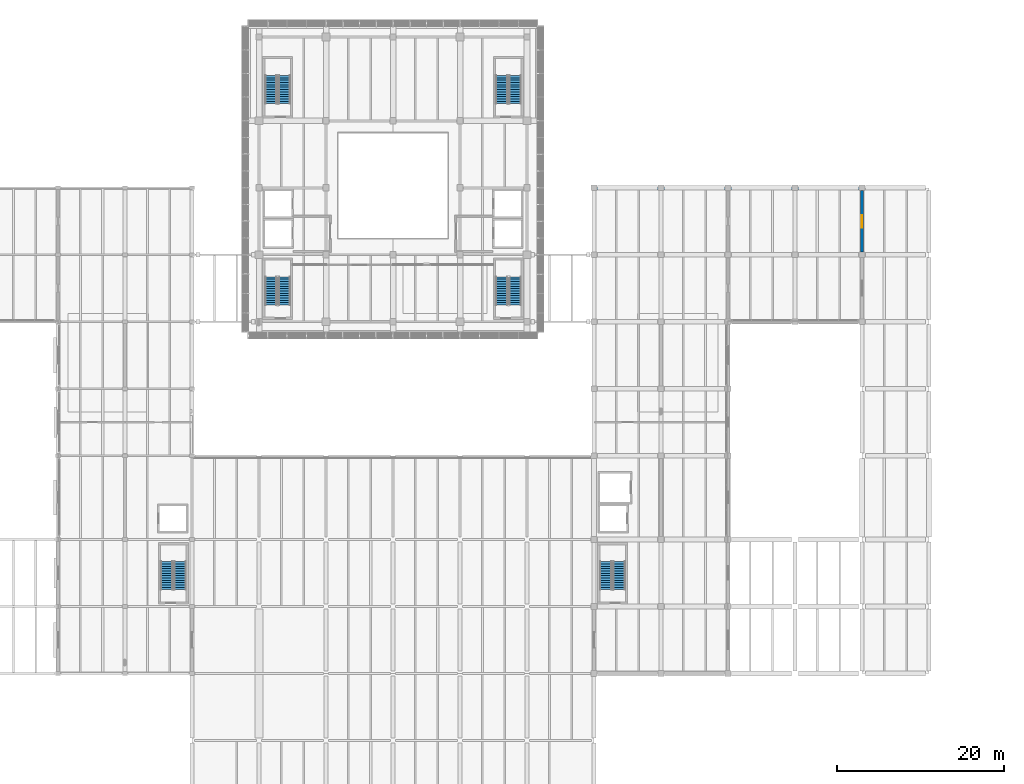
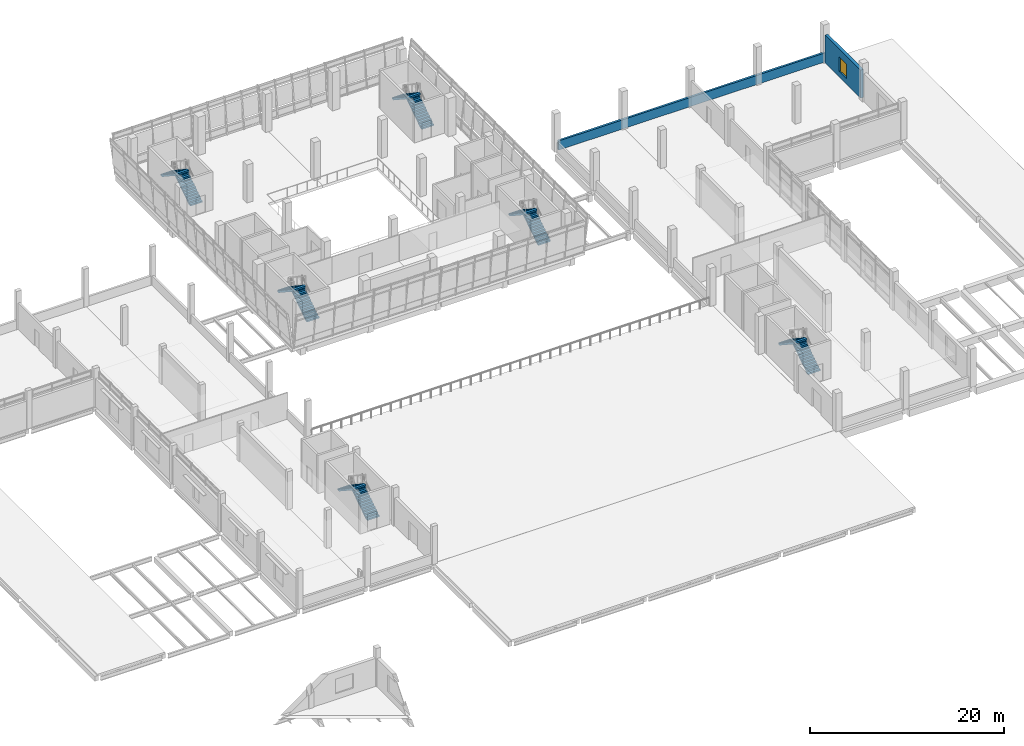
# One storey, part 36 of 52: 12 stair flights, 2 walls, 1 window, 1 opening, 6 elements without a shape of their own.
"""IFC4 building model written with IfcOpenShell, lengths in metres."""

from ifc_helpers import new_model, si_unit, direction, frame, frame_2d, origin, place, context, subcontext, project, spatial, polyline, rectangle, outline, extrude, material, layer, layer_set, type_object, element, fill, aggregate, save


model = new_model("IFC4")

# Units and contexts
model_context = context("Model", 3, precision=1e-05, world=origin(), true_north=direction((0.0, 1.0)))
body_context = subcontext(model_context, "Body", "Model", "MODEL_VIEW")
ifc_project = project(units=[si_unit("LENGTHUNIT", "METRE"), si_unit("AREAUNIT", "SQUARE_METRE"), si_unit("VOLUMEUNIT", "CUBIC_METRE"), si_unit("PLANEANGLEUNIT", "RADIAN"), si_unit("MASSUNIT", "GRAM", prefix="KILO")], contexts=[model_context])

# Site, building, storey
site_placement = place(None, origin())
site = spatial("IfcSite", under=ifc_project, at=site_placement, CompositionType="ELEMENT")
building_placement = place(site_placement, origin())
building = spatial("IfcBuilding", under=site, at=building_placement, Name="Pecanmere Concourse Central Library", CompositionType="ELEMENT")
storey_placement = place(building_placement, frame((0.0, 0.0, 10.5)))
storey = spatial("IfcBuildingStorey", under=building, at=storey_placement, Name="L03", CompositionType="ELEMENT", Elevation=10.5)

# Wall, opening, window
ifc_material_1 = material(Name="Texas cream limestone ashlar masonry", Category="masonry")
ifc_layer_1 = layer(ifc_material_1, 0.35009765625, Name="EW_LIME_350")
ifc_layer_set_1 = layer_set([ifc_layer_1], Name="Texas cream limestone ashlar masonry")
wall_type_1 = type_object("IfcWallType", Name="EW_LIME_350", PredefinedType="STANDARD", material=ifc_layer_set_1)
wall_1_placement = place(storey_placement, frame((144.0, 98.344970703125, 0.0), z_axis=(0.0, 0.0, 1.0), x_axis=(0.0, 1.0, 0.0)))
wall_1 = element("IfcWall", 1, at=wall_1_placement, inside=storey, type_object=wall_type_1, Name="Limestone Facade Wall L03-0169", PredefinedType="STANDARD", context=body_context, shape_type="SweptSolid", body=[
    extrude(rectangle(XDim=7.31005859375, YDim=0.35009765625, at=frame_2d((3.655029296875, 0.0))), origin(), (0.0, 0.0, 1.0), 3.52001953125),
])
opening_placement = place(wall_1_placement, frame((2.905029296875, 0.0, 0.719970703125)))
opening = element("IfcOpeningElement", 2, at=opening_placement, cuts=wall_1, Name="Opening WN-09", PredefinedType="OPENING", context=body_context, shape_type="SweptSolid", body=[
    extrude(rectangle(XDim=1.5, YDim=1.800048828125, at=frame_2d((0.75, 0.89990234375))), frame((0.0, 0.18701171875, 0.0), z_axis=(0.0, -1.0, 0.0), x_axis=(1.0, 0.0, 0.0)), (0.0, 0.0, 1.0), 0.3740234375),
])
ifc_material_2 = material(Name="Low-iron clear insulated glazing", Category="glass")
window_type = type_object("IfcWindowType", Name="WIN_1500x1800", PartitioningType="SINGLE_PANEL", PredefinedType="WINDOW", material=ifc_material_2)
window_placement = place(opening_placement, origin())
window = element("IfcWindow", 3, at=window_placement, inside=storey, type_object=window_type, Name="WN-145", OverallHeight=1.800048828125, OverallWidth=1.5, PartitioningType="SINGLE_PANEL", PredefinedType="WINDOW", context=body_context, shape_type="SweptSolid", body=[
    extrude(rectangle(XDim=1.5, YDim=1.800048828125, at=frame_2d((0.75, 0.89990234375))), frame((0.0, 0.030029296875, 0.0), z_axis=(0.0, -1.0, 0.0), x_axis=(1.0, 0.0, 0.0)), (0.0, 0.0, 1.0), 0.06005859375),
])
fill(opening, window)

# Wall
ifc_material_3 = material(Name="Texas cream limestone ashlar masonry", Category="masonry")
ifc_layer_2 = layer(ifc_material_3, 0.25, Name="PW_PARA_250")
ifc_layer_set_2 = layer_set([ifc_layer_2], Name="Texas cream limestone ashlar masonry")
wall_type_2 = type_object("IfcWallType", Name="PW_PARA_250", PredefinedType="PARAPET", material=ifc_layer_set_2)
wall_2_placement = place(storey_placement, frame((112.199951171875, 105.9296875, 0.0), z_axis=(0.0, 0.0, 1.0), x_axis=(0.99999999997, 7.696748e-06, 0.0)))
element("IfcWall", 4, at=wall_2_placement, inside=storey, type_object=wall_type_2, Name="Step-Back Parapet Wall L03-120", PredefinedType="PARAPET", context=body_context, shape_type="SweptSolid", body=[
    extrude(rectangle(XDim=31.719970703125, YDim=0.25, at=frame_2d((15.85986328125, 0.0))), origin(), (0.0, 0.0, 1.0), 1.14990234375),
])

# Stair, stair flights
ifc_material_4 = material(Name="Concrete C35/45", Category="concrete")
stair_type_1 = type_object("IfcStairType", Name="STAIR_TYPE_ST-01-1846", PredefinedType="USERDEFINED", material=ifc_material_4)
stair_1_placement = place(storey_placement, origin())
stair_1 = element("IfcStair", 5, at=stair_1_placement, inside=storey, type_object=stair_type_1, Name="L03 Protected Stair ST-01", ObjectType="TWO_RETURN_STAIR", PredefinedType="USERDEFINED")
ifc_material_5 = material(Name="Concrete C35/45", Category="concrete")
stair_flight_type = type_object("IfcStairFlightType", Name="FLIGHT_TYPE_SFL-145-1846", PredefinedType="STRAIGHT", material=ifc_material_5)
stair_flight_1_placement = place(storey_placement, frame((75.034912109375, 92.0, 0.0), z_axis=(0.0, 0.0, 1.0), x_axis=(0.0, 1.0, 0.0)))
stair_flight_1 = element("IfcStairFlight", 6, at=stair_flight_1_placement, type_object=stair_flight_type, Name="ST-01-1846 flight 1", NumberOfRisers=13, NumberOfTreads=12, PredefinedType="STRAIGHT", RiserHeight=0.184615385, TreadLength=0.28, context=body_context, shape_type="SweptSolid", body=[
    extrude(outline(polyline([(0.0, 0.0), (0.0, 0.1845703125), (0.280029296875, 0.1845703125), (0.280029296875, 0.369140625), (0.56005859375, 0.369140625), (0.56005859375, 0.553955078125), (0.840087890625, 0.553955078125), (0.840087890625, 0.738525390625), (1.1201171875, 0.738525390625), (1.1201171875, 0.923095703125), (1.39990234375, 0.923095703125), (1.39990234375, 1.107666015625), (1.679931640625, 1.107666015625), (1.679931640625, 1.292236328125), (1.9599609375, 1.292236328125), (1.9599609375, 1.476806640625), (2.239990234375, 1.476806640625), (2.239990234375, 1.66162109375), (2.52001953125, 1.66162109375), (2.52001953125, 1.84619140625), (2.800048828125, 1.84619140625), (2.800048828125, 2.03076171875), (3.080078125, 2.03076171875), (3.080078125, 2.21533203125), (3.360107421875, 2.21533203125), (3.360107421875, 2.39990234375), (3.360107421875, 2.02392578125), (0.29052734375, 0.0), (0.0, 0.0)])), frame((0.0, 0.72509765625, 0.0), z_axis=(0.0, -1.0, 0.0), x_axis=(1.0, 0.0, 0.0)), (0.0, 0.0, 1.0), 1.449951171875),
])
stair_flight_2_placement = place(storey_placement, frame((73.425048828125, 95.360107421875, 2.39990234375), z_axis=(0.0, 0.0, 1.0), x_axis=(0.0, -1.0, 0.0)))
stair_flight_2 = element("IfcStairFlight", 7, at=stair_flight_2_placement, type_object=stair_flight_type, Name="ST-01-1846 flight 2", NumberOfRisers=13, NumberOfTreads=12, PredefinedType="STRAIGHT", RiserHeight=0.184615385, TreadLength=0.28, context=body_context, shape_type="SweptSolid", body=[
    extrude(outline(polyline([(0.0, 0.0), (0.0, 0.1845703125), (0.280029296875, 0.1845703125), (0.280029296875, 0.369140625), (0.56005859375, 0.369140625), (0.56005859375, 0.553955078125), (0.840087890625, 0.553955078125), (0.840087890625, 0.738525390625), (1.1201171875, 0.738525390625), (1.1201171875, 0.923095703125), (1.39990234375, 0.923095703125), (1.39990234375, 1.107666015625), (1.679931640625, 1.107666015625), (1.679931640625, 1.292236328125), (1.9599609375, 1.292236328125), (1.9599609375, 1.476806640625), (2.239990234375, 1.476806640625), (2.239990234375, 1.66162109375), (2.52001953125, 1.66162109375), (2.52001953125, 1.84619140625), (2.800048828125, 1.84619140625), (2.800048828125, 2.03076171875), (3.080078125, 2.03076171875), (3.080078125, 2.21533203125), (3.360107421875, 2.21533203125), (3.360107421875, 2.39990234375), (3.360107421875, 2.02392578125), (0.29052734375, 0.0), (0.0, 0.0)])), frame((0.0, 0.72509765625, 0.0), z_axis=(0.0, -1.0, 0.0), x_axis=(1.0, 0.0, 0.0)), (0.0, 0.0, 1.0), 1.449951171875),
])
aggregate(stair_1, [stair_flight_1, stair_flight_2])

ifc_material_6 = material(Name="Concrete C35/45", Category="concrete")
stair_type_2 = type_object("IfcStairType", Name="STAIR_TYPE_ST-02-1846", PredefinedType="USERDEFINED", material=ifc_material_6)
stair_2_placement = place(storey_placement, origin())
stair_2 = element("IfcStair", 8, at=stair_2_placement, inside=storey, type_object=stair_type_2, Name="L03 Protected Stair ST-02", ObjectType="TWO_RETURN_STAIR", PredefinedType="USERDEFINED")
stair_flight_3_placement = place(storey_placement, frame((102.574951171875, 92.0, 0.0), z_axis=(0.0, 0.0, 1.0), x_axis=(0.0, 1.0, 0.0)))
stair_flight_3 = element("IfcStairFlight", 9, at=stair_flight_3_placement, type_object=stair_flight_type, Name="ST-02-1846 flight 1", NumberOfRisers=13, NumberOfTreads=12, PredefinedType="STRAIGHT", RiserHeight=0.184615385, TreadLength=0.28, context=body_context, shape_type="SweptSolid", body=[
    extrude(outline(polyline([(0.0, 0.0), (0.0, 0.1845703125), (0.280029296875, 0.1845703125), (0.280029296875, 0.369140625), (0.56005859375, 0.369140625), (0.56005859375, 0.553955078125), (0.840087890625, 0.553955078125), (0.840087890625, 0.738525390625), (1.1201171875, 0.738525390625), (1.1201171875, 0.923095703125), (1.39990234375, 0.923095703125), (1.39990234375, 1.107666015625), (1.679931640625, 1.107666015625), (1.679931640625, 1.292236328125), (1.9599609375, 1.292236328125), (1.9599609375, 1.476806640625), (2.239990234375, 1.476806640625), (2.239990234375, 1.66162109375), (2.52001953125, 1.66162109375), (2.52001953125, 1.84619140625), (2.800048828125, 1.84619140625), (2.800048828125, 2.03076171875), (3.080078125, 2.03076171875), (3.080078125, 2.21533203125), (3.360107421875, 2.21533203125), (3.360107421875, 2.39990234375), (3.360107421875, 2.02392578125), (0.29052734375, 0.0), (0.0, 0.0)])), frame((0.0, 0.72509765625, 0.0), z_axis=(0.0, -1.0, 0.0), x_axis=(1.0, 0.0, 0.0)), (0.0, 0.0, 1.0), 1.449951171875),
])
stair_flight_4_placement = place(storey_placement, frame((100.965087890625, 95.360107421875, 2.39990234375), z_axis=(0.0, 0.0, 1.0), x_axis=(0.0, -1.0, 0.0)))
stair_flight_4 = element("IfcStairFlight", 10, at=stair_flight_4_placement, type_object=stair_flight_type, Name="ST-02-1846 flight 2", NumberOfRisers=13, NumberOfTreads=12, PredefinedType="STRAIGHT", RiserHeight=0.184615385, TreadLength=0.28, context=body_context, shape_type="SweptSolid", body=[
    extrude(outline(polyline([(0.0, 0.0), (0.0, 0.1845703125), (0.280029296875, 0.1845703125), (0.280029296875, 0.369140625), (0.56005859375, 0.369140625), (0.56005859375, 0.553955078125), (0.840087890625, 0.553955078125), (0.840087890625, 0.738525390625), (1.1201171875, 0.738525390625), (1.1201171875, 0.923095703125), (1.39990234375, 0.923095703125), (1.39990234375, 1.107666015625), (1.679931640625, 1.107666015625), (1.679931640625, 1.292236328125), (1.9599609375, 1.292236328125), (1.9599609375, 1.476806640625), (2.239990234375, 1.476806640625), (2.239990234375, 1.66162109375), (2.52001953125, 1.66162109375), (2.52001953125, 1.84619140625), (2.800048828125, 1.84619140625), (2.800048828125, 2.03076171875), (3.080078125, 2.03076171875), (3.080078125, 2.21533203125), (3.360107421875, 2.21533203125), (3.360107421875, 2.39990234375), (3.360107421875, 2.02392578125), (0.29052734375, 0.0), (0.0, 0.0)])), frame((0.0, 0.72509765625, 0.0), z_axis=(0.0, -1.0, 0.0), x_axis=(1.0, 0.0, 0.0)), (0.0, 0.0, 1.0), 1.449951171875),
])
aggregate(stair_2, [stair_flight_3, stair_flight_4])

ifc_material_7 = material(Name="Concrete C35/45", Category="concrete")
stair_type_3 = type_object("IfcStairType", Name="STAIR_TYPE_ST-03-1846", PredefinedType="USERDEFINED", material=ifc_material_7)
stair_3_placement = place(storey_placement, origin())
stair_3 = element("IfcStair", 11, at=stair_3_placement, inside=storey, type_object=stair_type_3, Name="L03 Protected Stair ST-03", ObjectType="TWO_RETURN_STAIR", PredefinedType="USERDEFINED")
stair_flight_5_placement = place(storey_placement, frame((75.034912109375, 116.050048828125, 0.0), z_axis=(0.0, 0.0, 1.0), x_axis=(0.0, 1.0, 0.0)))
stair_flight_5 = element("IfcStairFlight", 12, at=stair_flight_5_placement, type_object=stair_flight_type, Name="ST-03-1846 flight 1", NumberOfRisers=13, NumberOfTreads=12, PredefinedType="STRAIGHT", RiserHeight=0.184615385, TreadLength=0.28, context=body_context, shape_type="SweptSolid", body=[
    extrude(outline(polyline([(0.0, 0.0), (0.0, 0.1845703125), (0.280029296875, 0.1845703125), (0.280029296875, 0.369140625), (0.56005859375, 0.369140625), (0.56005859375, 0.553955078125), (0.840087890625, 0.553955078125), (0.840087890625, 0.738525390625), (1.1201171875, 0.738525390625), (1.1201171875, 0.923095703125), (1.39990234375, 0.923095703125), (1.39990234375, 1.107666015625), (1.679931640625, 1.107666015625), (1.679931640625, 1.292236328125), (1.9599609375, 1.292236328125), (1.9599609375, 1.476806640625), (2.239990234375, 1.476806640625), (2.239990234375, 1.66162109375), (2.52001953125, 1.66162109375), (2.52001953125, 1.84619140625), (2.800048828125, 1.84619140625), (2.800048828125, 2.03076171875), (3.080078125, 2.03076171875), (3.080078125, 2.21533203125), (3.360107421875, 2.21533203125), (3.360107421875, 2.39990234375), (3.360107421875, 2.02392578125), (0.29052734375, 0.0), (0.0, 0.0)])), frame((0.0, 0.72509765625, 0.0), z_axis=(0.0, -1.0, 0.0), x_axis=(1.0, 0.0, 0.0)), (0.0, 0.0, 1.0), 1.449951171875),
])
stair_flight_6_placement = place(storey_placement, frame((73.425048828125, 119.409912109375, 2.39990234375), z_axis=(0.0, 0.0, 1.0), x_axis=(0.0, -1.0, 0.0)))
stair_flight_6 = element("IfcStairFlight", 13, at=stair_flight_6_placement, type_object=stair_flight_type, Name="ST-03-1846 flight 2", NumberOfRisers=13, NumberOfTreads=12, PredefinedType="STRAIGHT", RiserHeight=0.184615385, TreadLength=0.28, context=body_context, shape_type="SweptSolid", body=[
    extrude(outline(polyline([(0.0, 0.0), (0.0, 0.1845703125), (0.280029296875, 0.1845703125), (0.280029296875, 0.369140625), (0.56005859375, 0.369140625), (0.56005859375, 0.553955078125), (0.840087890625, 0.553955078125), (0.840087890625, 0.738525390625), (1.1201171875, 0.738525390625), (1.1201171875, 0.923095703125), (1.39990234375, 0.923095703125), (1.39990234375, 1.107666015625), (1.679931640625, 1.107666015625), (1.679931640625, 1.292236328125), (1.9599609375, 1.292236328125), (1.9599609375, 1.476806640625), (2.239990234375, 1.476806640625), (2.239990234375, 1.66162109375), (2.52001953125, 1.66162109375), (2.52001953125, 1.84619140625), (2.800048828125, 1.84619140625), (2.800048828125, 2.03076171875), (3.080078125, 2.03076171875), (3.080078125, 2.21533203125), (3.360107421875, 2.21533203125), (3.360107421875, 2.39990234375), (3.360107421875, 2.02392578125), (0.29052734375, 0.0), (0.0, 0.0)])), frame((0.0, 0.72509765625, 0.0), z_axis=(0.0, -1.0, 0.0), x_axis=(1.0, 0.0, 0.0)), (0.0, 0.0, 1.0), 1.449951171875),
])
aggregate(stair_3, [stair_flight_5, stair_flight_6])

ifc_material_8 = material(Name="Concrete C35/45", Category="concrete")
stair_type_4 = type_object("IfcStairType", Name="STAIR_TYPE_ST-04-1846", PredefinedType="USERDEFINED", material=ifc_material_8)
stair_4_placement = place(storey_placement, origin())
stair_4 = element("IfcStair", 14, at=stair_4_placement, inside=storey, type_object=stair_type_4, Name="L03 Protected Stair ST-04", ObjectType="TWO_RETURN_STAIR", PredefinedType="USERDEFINED")
stair_flight_7_placement = place(storey_placement, frame((102.574951171875, 116.050048828125, 0.0), z_axis=(0.0, 0.0, 1.0), x_axis=(0.0, 1.0, 0.0)))
stair_flight_7 = element("IfcStairFlight", 15, at=stair_flight_7_placement, type_object=stair_flight_type, Name="ST-04-1846 flight 1", NumberOfRisers=13, NumberOfTreads=12, PredefinedType="STRAIGHT", RiserHeight=0.184615385, TreadLength=0.28, context=body_context, shape_type="SweptSolid", body=[
    extrude(outline(polyline([(0.0, 0.0), (0.0, 0.1845703125), (0.280029296875, 0.1845703125), (0.280029296875, 0.369140625), (0.56005859375, 0.369140625), (0.56005859375, 0.553955078125), (0.840087890625, 0.553955078125), (0.840087890625, 0.738525390625), (1.1201171875, 0.738525390625), (1.1201171875, 0.923095703125), (1.39990234375, 0.923095703125), (1.39990234375, 1.107666015625), (1.679931640625, 1.107666015625), (1.679931640625, 1.292236328125), (1.9599609375, 1.292236328125), (1.9599609375, 1.476806640625), (2.239990234375, 1.476806640625), (2.239990234375, 1.66162109375), (2.52001953125, 1.66162109375), (2.52001953125, 1.84619140625), (2.800048828125, 1.84619140625), (2.800048828125, 2.03076171875), (3.080078125, 2.03076171875), (3.080078125, 2.21533203125), (3.360107421875, 2.21533203125), (3.360107421875, 2.39990234375), (3.360107421875, 2.02392578125), (0.29052734375, 0.0), (0.0, 0.0)])), frame((0.0, 0.72509765625, 0.0), z_axis=(0.0, -1.0, 0.0), x_axis=(1.0, 0.0, 0.0)), (0.0, 0.0, 1.0), 1.449951171875),
])
stair_flight_8_placement = place(storey_placement, frame((100.965087890625, 119.409912109375, 2.39990234375), z_axis=(0.0, 0.0, 1.0), x_axis=(0.0, -1.0, 0.0)))
stair_flight_8 = element("IfcStairFlight", 16, at=stair_flight_8_placement, type_object=stair_flight_type, Name="ST-04-1846 flight 2", NumberOfRisers=13, NumberOfTreads=12, PredefinedType="STRAIGHT", RiserHeight=0.184615385, TreadLength=0.28, context=body_context, shape_type="SweptSolid", body=[
    extrude(outline(polyline([(0.0, 0.0), (0.0, 0.1845703125), (0.280029296875, 0.1845703125), (0.280029296875, 0.369140625), (0.56005859375, 0.369140625), (0.56005859375, 0.553955078125), (0.840087890625, 0.553955078125), (0.840087890625, 0.738525390625), (1.1201171875, 0.738525390625), (1.1201171875, 0.923095703125), (1.39990234375, 0.923095703125), (1.39990234375, 1.107666015625), (1.679931640625, 1.107666015625), (1.679931640625, 1.292236328125), (1.9599609375, 1.292236328125), (1.9599609375, 1.476806640625), (2.239990234375, 1.476806640625), (2.239990234375, 1.66162109375), (2.52001953125, 1.66162109375), (2.52001953125, 1.84619140625), (2.800048828125, 1.84619140625), (2.800048828125, 2.03076171875), (3.080078125, 2.03076171875), (3.080078125, 2.21533203125), (3.360107421875, 2.21533203125), (3.360107421875, 2.39990234375), (3.360107421875, 2.02392578125), (0.29052734375, 0.0), (0.0, 0.0)])), frame((0.0, 0.72509765625, 0.0), z_axis=(0.0, -1.0, 0.0), x_axis=(1.0, 0.0, 0.0)), (0.0, 0.0, 1.0), 1.449951171875),
])
aggregate(stair_4, [stair_flight_7, stair_flight_8])

ifc_material_9 = material(Name="Concrete C35/45", Category="concrete")
stair_type_5 = type_object("IfcStairType", Name="STAIR_TYPE_ST-05-1846", PredefinedType="USERDEFINED", material=ifc_material_9)
stair_5_placement = place(storey_placement, origin())
stair_5 = element("IfcStair", 17, at=stair_5_placement, inside=storey, type_object=stair_type_5, Name="L03 Protected Stair ST-05", ObjectType="TWO_RETURN_STAIR", PredefinedType="USERDEFINED")
stair_flight_9_placement = place(storey_placement, frame((115.034912109375, 58.0, 0.0), z_axis=(0.0, 0.0, 1.0), x_axis=(0.0, 1.0, 0.0)))
stair_flight_9 = element("IfcStairFlight", 18, at=stair_flight_9_placement, type_object=stair_flight_type, Name="ST-05-1846 flight 1", NumberOfRisers=13, NumberOfTreads=12, PredefinedType="STRAIGHT", RiserHeight=0.184615385, TreadLength=0.28, context=body_context, shape_type="SweptSolid", body=[
    extrude(outline(polyline([(0.0, 0.0), (0.0, 0.1845703125), (0.280029296875, 0.1845703125), (0.280029296875, 0.369140625), (0.56005859375, 0.369140625), (0.56005859375, 0.553955078125), (0.840087890625, 0.553955078125), (0.840087890625, 0.738525390625), (1.1201171875, 0.738525390625), (1.1201171875, 0.923095703125), (1.39990234375, 0.923095703125), (1.39990234375, 1.107666015625), (1.679931640625, 1.107666015625), (1.679931640625, 1.292236328125), (1.9599609375, 1.292236328125), (1.9599609375, 1.476806640625), (2.239990234375, 1.476806640625), (2.239990234375, 1.66162109375), (2.52001953125, 1.66162109375), (2.52001953125, 1.84619140625), (2.800048828125, 1.84619140625), (2.800048828125, 2.03076171875), (3.080078125, 2.03076171875), (3.080078125, 2.21533203125), (3.360107421875, 2.21533203125), (3.360107421875, 2.39990234375), (3.360107421875, 2.02392578125), (0.29052734375, 0.0), (0.0, 0.0)])), frame((0.0, 0.72509765625, 0.0), z_axis=(0.0, -1.0, 0.0), x_axis=(1.0, 0.0, 0.0)), (0.0, 0.0, 1.0), 1.449951171875),
])
stair_flight_10_placement = place(storey_placement, frame((113.425048828125, 61.360107421875, 2.39990234375), z_axis=(0.0, 0.0, 1.0), x_axis=(0.0, -1.0, 0.0)))
stair_flight_10 = element("IfcStairFlight", 19, at=stair_flight_10_placement, type_object=stair_flight_type, Name="ST-05-1846 flight 2", NumberOfRisers=13, NumberOfTreads=12, PredefinedType="STRAIGHT", RiserHeight=0.184615385, TreadLength=0.28, context=body_context, shape_type="SweptSolid", body=[
    extrude(outline(polyline([(0.0, 0.0), (0.0, 0.1845703125), (0.280029296875, 0.1845703125), (0.280029296875, 0.369140625), (0.56005859375, 0.369140625), (0.56005859375, 0.553955078125), (0.840087890625, 0.553955078125), (0.840087890625, 0.738525390625), (1.1201171875, 0.738525390625), (1.1201171875, 0.923095703125), (1.39990234375, 0.923095703125), (1.39990234375, 1.107666015625), (1.679931640625, 1.107666015625), (1.679931640625, 1.292236328125), (1.9599609375, 1.292236328125), (1.9599609375, 1.476806640625), (2.239990234375, 1.476806640625), (2.239990234375, 1.66162109375), (2.52001953125, 1.66162109375), (2.52001953125, 1.84619140625), (2.800048828125, 1.84619140625), (2.800048828125, 2.03076171875), (3.080078125, 2.03076171875), (3.080078125, 2.21533203125), (3.360107421875, 2.21533203125), (3.360107421875, 2.39990234375), (3.360107421875, 2.02392578125), (0.29052734375, 0.0), (0.0, 0.0)])), frame((0.0, 0.72509765625, 0.0), z_axis=(0.0, -1.0, 0.0), x_axis=(1.0, 0.0, 0.0)), (0.0, 0.0, 1.0), 1.449951171875),
])
aggregate(stair_5, [stair_flight_9, stair_flight_10])

ifc_material_10 = material(Name="Concrete C35/45", Category="concrete")
stair_type_6 = type_object("IfcStairType", Name="STAIR_TYPE_ST-06-1846", PredefinedType="USERDEFINED", material=ifc_material_10)
stair_6_placement = place(storey_placement, origin())
stair_6 = element("IfcStair", 20, at=stair_6_placement, inside=storey, type_object=stair_type_6, Name="L03 Protected Stair ST-06", ObjectType="TWO_RETURN_STAIR", PredefinedType="USERDEFINED")
stair_flight_11_placement = place(storey_placement, frame((62.574951171875, 58.0, 0.0), z_axis=(0.0, 0.0, 1.0), x_axis=(0.0, 1.0, 0.0)))
stair_flight_11 = element("IfcStairFlight", 21, at=stair_flight_11_placement, type_object=stair_flight_type, Name="ST-06-1846 flight 1", NumberOfRisers=13, NumberOfTreads=12, PredefinedType="STRAIGHT", RiserHeight=0.184615385, TreadLength=0.28, context=body_context, shape_type="SweptSolid", body=[
    extrude(outline(polyline([(0.0, 0.0), (0.0, 0.1845703125), (0.280029296875, 0.1845703125), (0.280029296875, 0.369140625), (0.56005859375, 0.369140625), (0.56005859375, 0.553955078125), (0.840087890625, 0.553955078125), (0.840087890625, 0.738525390625), (1.1201171875, 0.738525390625), (1.1201171875, 0.923095703125), (1.39990234375, 0.923095703125), (1.39990234375, 1.107666015625), (1.679931640625, 1.107666015625), (1.679931640625, 1.292236328125), (1.9599609375, 1.292236328125), (1.9599609375, 1.476806640625), (2.239990234375, 1.476806640625), (2.239990234375, 1.66162109375), (2.52001953125, 1.66162109375), (2.52001953125, 1.84619140625), (2.800048828125, 1.84619140625), (2.800048828125, 2.03076171875), (3.080078125, 2.03076171875), (3.080078125, 2.21533203125), (3.360107421875, 2.21533203125), (3.360107421875, 2.39990234375), (3.360107421875, 2.02392578125), (0.29052734375, 0.0), (0.0, 0.0)])), frame((0.0, 0.72509765625, 0.0), z_axis=(0.0, -1.0, 0.0), x_axis=(1.0, 0.0, 0.0)), (0.0, 0.0, 1.0), 1.449951171875),
])
stair_flight_12_placement = place(storey_placement, frame((60.965087890625, 61.360107421875, 2.39990234375), z_axis=(0.0, 0.0, 1.0), x_axis=(0.0, -1.0, 0.0)))
stair_flight_12 = element("IfcStairFlight", 22, at=stair_flight_12_placement, type_object=stair_flight_type, Name="ST-06-1846 flight 2", NumberOfRisers=13, NumberOfTreads=12, PredefinedType="STRAIGHT", RiserHeight=0.184615385, TreadLength=0.28, context=body_context, shape_type="SweptSolid", body=[
    extrude(outline(polyline([(0.0, 0.0), (0.0, 0.1845703125), (0.280029296875, 0.1845703125), (0.280029296875, 0.369140625), (0.56005859375, 0.369140625), (0.56005859375, 0.553955078125), (0.840087890625, 0.553955078125), (0.840087890625, 0.738525390625), (1.1201171875, 0.738525390625), (1.1201171875, 0.923095703125), (1.39990234375, 0.923095703125), (1.39990234375, 1.107666015625), (1.679931640625, 1.107666015625), (1.679931640625, 1.292236328125), (1.9599609375, 1.292236328125), (1.9599609375, 1.476806640625), (2.239990234375, 1.476806640625), (2.239990234375, 1.66162109375), (2.52001953125, 1.66162109375), (2.52001953125, 1.84619140625), (2.800048828125, 1.84619140625), (2.800048828125, 2.03076171875), (3.080078125, 2.03076171875), (3.080078125, 2.21533203125), (3.360107421875, 2.21533203125), (3.360107421875, 2.39990234375), (3.360107421875, 2.02392578125), (0.29052734375, 0.0), (0.0, 0.0)])), frame((0.0, 0.72509765625, 0.0), z_axis=(0.0, -1.0, 0.0), x_axis=(1.0, 0.0, 0.0)), (0.0, 0.0, 1.0), 1.449951171875),
])
aggregate(stair_6, [stair_flight_11, stair_flight_12])

save(model, "model.ifc")
